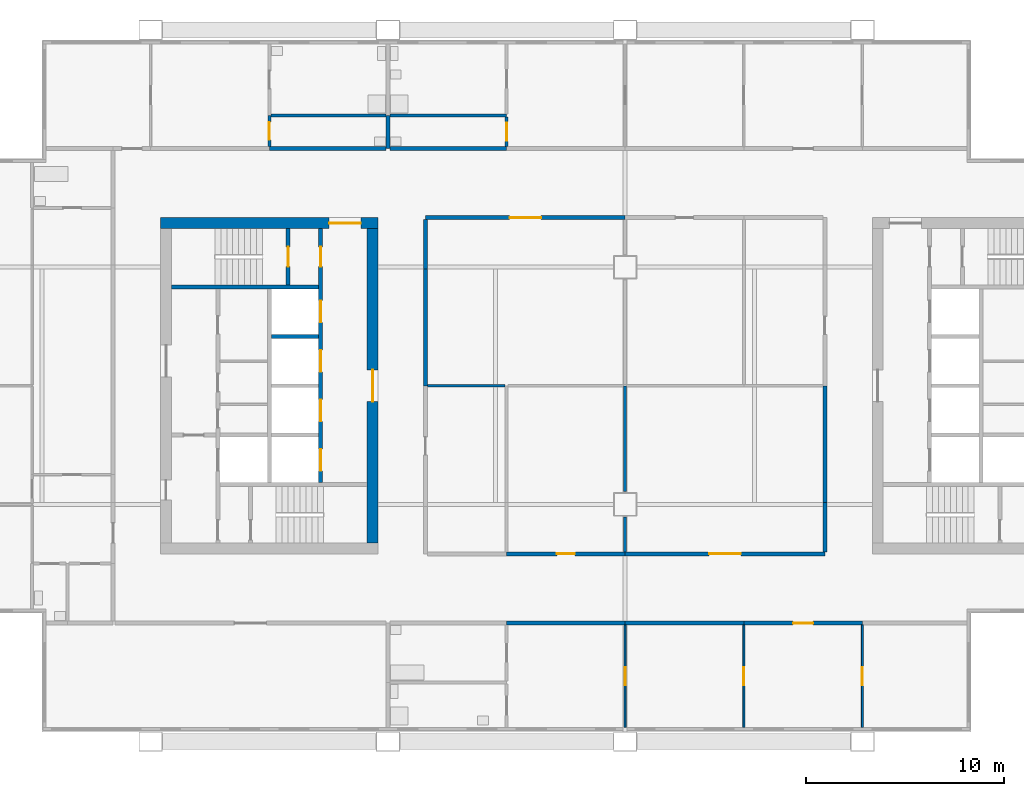
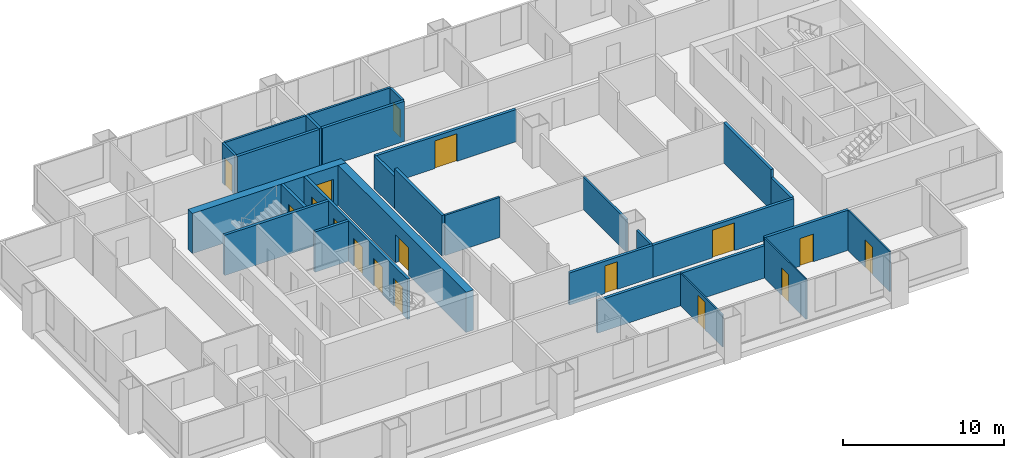
# One storey, part 4 of 9: 29 walls, 17 doors, 17 openings.
"""IFC4 building model written with IfcOpenShell, lengths in metres."""

from ifc_helpers import new_model, si_unit, direction, frame, frame_2d, origin, place, context, subcontext, project, spatial, rectangle, extrude, material, layer, layer_set, type_object, element, fill, save


model = new_model("IFC4")

# Units and contexts
model_context = context("Model", 3, precision=1e-05, world=origin(), true_north=direction((0.0, 1.0)))
body_context = subcontext(model_context, "Body", "Model", "MODEL_VIEW")
ifc_project = project(units=[si_unit("LENGTHUNIT", "METRE"), si_unit("AREAUNIT", "SQUARE_METRE"), si_unit("VOLUMEUNIT", "CUBIC_METRE"), si_unit("PLANEANGLEUNIT", "RADIAN"), si_unit("MASSUNIT", "GRAM", prefix="KILO")], contexts=[model_context])

# Site, building, storey
site_placement = place(None, origin())
site = spatial("IfcSite", under=ifc_project, at=site_placement, CompositionType="ELEMENT")
building_placement = place(site_placement, origin())
building = spatial("IfcBuilding", under=site, at=building_placement, Name="Kitamizu Gate Tower and Museum", CompositionType="ELEMENT")
storey_placement = place(building_placement, frame((0.0, 0.0, 206.550048828125)))
storey = spatial("IfcBuildingStorey", under=building, at=storey_placement, Name="L55", CompositionType="ELEMENT", Elevation=206.550048828125)

# Wall, opening, door
ifc_material_1 = material(Name="Concrete Fc42", Category="concrete")
ifc_layer_1 = layer(ifc_material_1, 0.550048828125)
ifc_layer_set_1 = layer_set([ifc_layer_1], Name="Concrete Fc42")
wall_type_1 = type_object("IfcWallType", Name="Core wall 550", PredefinedType="SHEAR", material=ifc_layer_set_1)
wall_1_placement = place(storey_placement, frame((12.5, 38.22509765625, 0.0), z_axis=(0.0, 0.0, 1.0), x_axis=(1.0, 0.0, 0.0)))
wall_1 = element("IfcWall", 1, at=wall_1_placement, inside=storey, type_object=wall_type_1, Name="Core wall WN", PredefinedType="SHEAR", context=body_context, shape_type="SweptSolid", body=[
    extrude(rectangle(XDim=11.0, YDim=0.550048828125, at=frame_2d((5.5, 0.0))), origin(), (0.0, 0.0, 1.0), 3.050048828125),
])
opening_1_placement = place(wall_1_placement, frame((8.52490234375, 0.0, 0.0)))
opening_1 = element("IfcOpeningElement", 2, at=opening_1_placement, cuts=wall_1, Name="Opening L55-039", PredefinedType="OPENING", context=body_context, shape_type="SweptSolid", body=[
    extrude(rectangle(XDim=1.60009765625, YDim=2.10009765625, at=frame_2d((0.800048828125, 1.050048828125))), frame((0.0, 0.28515625, 0.0), z_axis=(0.0, -1.0, 0.0), x_axis=(1.0, 0.0, 0.0)), (0.0, 0.0, 1.0), 0.570068359375),
])
ifc_material_2 = material(Name="Timber door set", Category="wood")
door_type_1 = type_object("IfcDoorType", Name="Entrance door 1600", OperationType="DOUBLE_DOOR_SINGLE_SWING", PredefinedType="DOOR", material=ifc_material_2)
door_1_placement = place(opening_1_placement, origin())
door_1 = element("IfcDoor", 3, at=door_1_placement, inside=storey, type_object=door_type_1, Name="Lobby door L55-039", OperationType="DOUBLE_DOOR_SINGLE_SWING", OverallHeight=2.10009765625, OverallWidth=1.60009765625, PredefinedType="DOOR", context=body_context, shape_type="SweptSolid", body=[
    extrude(rectangle(XDim=1.60009765625, YDim=2.10009765625, at=frame_2d((0.800048828125, 1.050048828125))), frame((0.0, 0.02490234375, 0.0), z_axis=(0.0, -1.0, 0.0), x_axis=(1.0, 0.0, 0.0)), (0.0, 0.0, 1.0), 0.050048828125),
])
fill(opening_1, door_1)

wall_2_placement = place(storey_placement, frame((23.22509765625, 22.050048828125, 0.0), z_axis=(0.0, 0.0, 1.0), x_axis=(0.0, 1.0, 0.0)))
wall_2 = element("IfcWall", 4, at=wall_2_placement, inside=storey, type_object=wall_type_1, Name="Core wall WARC", PredefinedType="SHEAR", context=body_context, shape_type="SweptSolid", body=[
    extrude(rectangle(XDim=15.89990234375, YDim=0.550048828125, at=frame_2d((7.949951171875, 0.0))), origin(), (0.0, 0.0, 1.0), 3.050048828125),
])
opening_2_placement = place(wall_2_placement, frame((7.14990234375, 0.0, 0.0)))
opening_2 = element("IfcOpeningElement", 5, at=opening_2_placement, cuts=wall_2, Name="Opening L55-040", PredefinedType="OPENING", context=body_context, shape_type="SweptSolid", body=[
    extrude(rectangle(XDim=1.60009765625, YDim=2.10009765625, at=frame_2d((0.800048828125, 1.050048828125))), frame((0.0, 0.28515625, 0.0), z_axis=(0.0, -1.0, 0.0), x_axis=(1.0, 0.0, 0.0)), (0.0, 0.0, 1.0), 0.570068359375),
])
door_2_placement = place(opening_2_placement, origin())
door_2 = element("IfcDoor", 6, at=door_2_placement, inside=storey, type_object=door_type_1, Name="Lobby door L55-040", OperationType="DOUBLE_DOOR_SINGLE_SWING", OverallHeight=2.10009765625, OverallWidth=1.60009765625, PredefinedType="DOOR", context=body_context, shape_type="SweptSolid", body=[
    extrude(rectangle(XDim=1.60009765625, YDim=2.10009765625, at=frame_2d((0.800048828125, 1.050048828125))), frame((0.0, 0.02490234375, 0.0), z_axis=(0.0, -1.0, 0.0), x_axis=(1.0, 0.0, 0.0)), (0.0, 0.0, 1.0), 0.050048828125),
])
fill(opening_2, door_2)

ifc_material_3 = material(Name="Gypsum board on galvanised stud")
ifc_layer_2 = layer(ifc_material_3, 0.10009765625)
ifc_layer_set_2 = layer_set([ifc_layer_2], Name="Gypsum board on galvanised stud")
wall_type_2 = type_object("IfcWallType", Name="Partition 100 NOT RATED", PredefinedType="PARTITIONING", material=ifc_layer_set_2)
wall_3_placement = place(storey_placement, frame((36.0, 12.719970703125, 0.0), z_axis=(0.0, 0.0, 1.0), x_axis=(0.0, 1.0, 0.0)))
wall_3 = element("IfcWall", 7, at=wall_3_placement, inside=storey, type_object=wall_type_2, Name="Partition L55-007", PredefinedType="PARTITIONING", context=body_context, shape_type="SweptSolid", body=[
    extrude(rectangle(XDim=5.179931640625, YDim=0.10009765625, at=frame_2d((2.58984375, 0.0))), origin(), (0.0, 0.0, 1.0), 2.449951171875),
])
opening_3_placement = place(wall_3_placement, frame((2.139892578125, 0.0, 0.0)))
opening_3 = element("IfcOpeningElement", 8, at=opening_3_placement, cuts=wall_3, Name="Opening L55-003", PredefinedType="OPENING", context=body_context, shape_type="SweptSolid", body=[
    extrude(rectangle(XDim=0.89990234375, YDim=2.10009765625, at=frame_2d((0.449951171875, 1.050048828125))), frame((0.0, 0.06005859375, 0.0), z_axis=(0.0, -1.0, 0.0), x_axis=(1.0, 0.0, 0.0)), (0.0, 0.0, 1.0), 0.1201171875),
])
ifc_material_4 = material(Name="Timber door set", Category="wood")
door_type_2 = type_object("IfcDoorType", Name="Room door 900", OperationType="NOTDEFINED", PredefinedType="DOOR", material=ifc_material_4)
door_3_placement = place(opening_3_placement, origin())
door_3 = element("IfcDoor", 9, at=door_3_placement, inside=storey, type_object=door_type_2, Name="Door L55-003", OperationType="SINGLE_SWING_RIGHT", OverallHeight=2.10009765625, OverallWidth=0.89990234375, PredefinedType="DOOR", context=body_context, shape_type="SweptSolid", body=[
    extrude(rectangle(XDim=0.89990234375, YDim=2.10009765625, at=frame_2d((0.449951171875, 1.050048828125))), frame((0.0, 0.02490234375, 0.0), z_axis=(0.0, -1.0, 0.0), x_axis=(1.0, 0.0, 0.0)), (0.0, 0.0, 1.0), 0.050048828125),
])
fill(opening_3, door_3)

wall_4_placement = place(storey_placement, frame((42.0, 12.719970703125, 0.0), z_axis=(0.0, 0.0, 1.0), x_axis=(0.0, 1.0, 0.0)))
wall_4 = element("IfcWall", 10, at=wall_4_placement, inside=storey, type_object=wall_type_2, Name="Partition L55-009", PredefinedType="PARTITIONING", context=body_context, shape_type="SweptSolid", body=[
    extrude(rectangle(XDim=5.179931640625, YDim=0.10009765625, at=frame_2d((2.58984375, 0.0))), origin(), (0.0, 0.0, 1.0), 3.050048828125),
])
opening_4_placement = place(wall_4_placement, frame((2.139892578125, 0.0, 0.0)))
opening_4 = element("IfcOpeningElement", 11, at=opening_4_placement, cuts=wall_4, Name="Opening L55-002", PredefinedType="OPENING", context=body_context, shape_type="SweptSolid", body=[
    extrude(rectangle(XDim=0.89990234375, YDim=2.10009765625, at=frame_2d((0.449951171875, 1.050048828125))), frame((0.0, 0.06005859375, 0.0), z_axis=(0.0, -1.0, 0.0), x_axis=(1.0, 0.0, 0.0)), (0.0, 0.0, 1.0), 0.1201171875),
])
door_4_placement = place(opening_4_placement, origin())
door_4 = element("IfcDoor", 12, at=door_4_placement, inside=storey, type_object=door_type_2, Name="Door L55-002", OperationType="SINGLE_SWING_LEFT", OverallHeight=2.10009765625, OverallWidth=0.89990234375, PredefinedType="DOOR", context=body_context, shape_type="SweptSolid", body=[
    extrude(rectangle(XDim=0.89990234375, YDim=2.10009765625, at=frame_2d((0.449951171875, 1.050048828125))), frame((0.0, 0.02490234375, 0.0), z_axis=(0.0, -1.0, 0.0), x_axis=(1.0, 0.0, 0.0)), (0.0, 0.0, 1.0), 0.050048828125),
])
fill(opening_4, door_4)

wall_5_placement = place(storey_placement, frame((48.0, 12.719970703125, 0.0), z_axis=(0.0, 0.0, 1.0), x_axis=(0.0, 1.0, 0.0)))
wall_5 = element("IfcWall", 13, at=wall_5_placement, inside=storey, type_object=wall_type_2, Name="Partition L55-011", PredefinedType="PARTITIONING", context=body_context, shape_type="SweptSolid", body=[
    extrude(rectangle(XDim=5.179931640625, YDim=0.10009765625, at=frame_2d((2.58984375, 0.0))), origin(), (0.0, 0.0, 1.0), 3.050048828125),
])
opening_5_placement = place(wall_5_placement, frame((2.139892578125, 0.0, 0.0)))
opening_5 = element("IfcOpeningElement", 14, at=opening_5_placement, cuts=wall_5, Name="Opening L55-006", PredefinedType="OPENING", context=body_context, shape_type="SweptSolid", body=[
    extrude(rectangle(XDim=0.89990234375, YDim=2.10009765625, at=frame_2d((0.449951171875, 1.050048828125))), frame((0.0, 0.06005859375, 0.0), z_axis=(0.0, -1.0, 0.0), x_axis=(1.0, 0.0, 0.0)), (0.0, 0.0, 1.0), 0.1201171875),
])
door_5_placement = place(opening_5_placement, frame((0.89990234375, 0.0, 0.0), x_axis=(-1.0, 0.0, 0.0)))
door_5 = element("IfcDoor", 15, at=door_5_placement, inside=storey, type_object=door_type_2, Name="Door L55-006", OperationType="SINGLE_SWING_RIGHT", OverallHeight=2.10009765625, OverallWidth=0.89990234375, PredefinedType="DOOR", context=body_context, shape_type="SweptSolid", body=[
    extrude(rectangle(XDim=0.89990234375, YDim=2.10009765625, at=frame_2d((0.449951171875, 1.050048828125))), frame((0.0, 0.02490234375, 0.0), z_axis=(0.0, -1.0, 0.0), x_axis=(1.0, 0.0, 0.0)), (0.0, 0.0, 1.0), 0.050048828125),
])
fill(opening_5, door_5)

ifc_material_5 = material(Name="Gypsum board on galvanised stud")
ifc_layer_3 = layer(ifc_material_5, 0.14990234375)
ifc_layer_set_3 = layer_set([ifc_layer_3], Name="Gypsum board on galvanised stud")
wall_type_3 = type_object("IfcWallType", Name="Partition 150", PredefinedType="PARTITIONING", material=ifc_layer_set_3)
wall_6_placement = place(storey_placement, frame((18.0, 42.10009765625, 0.0), z_axis=(0.0, 0.0, 1.0), x_axis=(0.0, 1.0, 0.0)))
wall_6 = element("IfcWall", 16, at=wall_6_placement, inside=storey, type_object=wall_type_3, Name="Partition L55-018", PredefinedType="PARTITIONING", context=body_context, shape_type="SweptSolid", body=[
    extrude(rectangle(XDim=1.579833984375, YDim=0.14990234375, at=frame_2d((0.7900390625, 0.0))), origin(), (0.0, 0.0, 1.0), 3.050048828125),
])
opening_6_placement = place(wall_6_placement, frame((0.340087890625, 0.0, 0.0)))
opening_6 = element("IfcOpeningElement", 17, at=opening_6_placement, cuts=wall_6, Name="Opening L55-010", PredefinedType="OPENING", context=body_context, shape_type="SweptSolid", body=[
    extrude(rectangle(XDim=0.89990234375, YDim=2.10009765625, at=frame_2d((0.449951171875, 1.050048828125))), frame((0.0, 0.0849609375, 0.0), z_axis=(0.0, -1.0, 0.0), x_axis=(1.0, 0.0, 0.0)), (0.0, 0.0, 1.0), 0.169921875),
])
ifc_material_6 = material(Name="Timber door set", Category="wood")
door_type_3 = type_object("IfcDoorType", Name="Bathroom door 900", OperationType="NOTDEFINED", PredefinedType="DOOR", material=ifc_material_6)
door_6_placement = place(opening_6_placement, frame((0.89990234375, 0.0, 0.0), x_axis=(-1.0, 0.0, 0.0)))
door_6 = element("IfcDoor", 18, at=door_6_placement, inside=storey, type_object=door_type_3, Name="Bathroom door L55-010", OperationType="SINGLE_SWING_LEFT", OverallHeight=2.10009765625, OverallWidth=0.89990234375, PredefinedType="DOOR", context=body_context, shape_type="SweptSolid", body=[
    extrude(rectangle(XDim=0.89990234375, YDim=2.10009765625, at=frame_2d((0.449951171875, 1.050048828125))), frame((0.0, 0.02490234375, 0.0), z_axis=(0.0, -1.0, 0.0), x_axis=(1.0, 0.0, 0.0)), (0.0, 0.0, 1.0), 0.050048828125),
])
fill(opening_6, door_6)

# Walls
wall_7_placement = place(storey_placement, frame((18.074951171875, 43.679931640625, 0.0), z_axis=(0.0, 0.0, 1.0), x_axis=(1.0, 0.0, 0.0)))
element("IfcWall", 19, at=wall_7_placement, inside=storey, type_object=wall_type_3, Name="Partition L55-020", PredefinedType="PARTITIONING", context=body_context, shape_type="SweptSolid", body=[
    extrude(rectangle(XDim=5.824951171875, YDim=0.14990234375, at=frame_2d((2.91259765625, 0.0))), origin(), (0.0, 0.0, 1.0), 3.050048828125),
])
wall_8_placement = place(storey_placement, frame((24.10009765625, 43.679931640625, 0.0), z_axis=(0.0, 0.0, 1.0), x_axis=(1.0, 0.0, 0.0)))
element("IfcWall", 20, at=wall_8_placement, inside=storey, type_object=wall_type_3, Name="Partition L55-024", PredefinedType="PARTITIONING", context=body_context, shape_type="SweptSolid", body=[
    extrude(rectangle(XDim=5.89990234375, YDim=0.14990234375, at=frame_2d((2.949951171875, 0.0))), origin(), (0.0, 0.0, 1.0), 3.050048828125),
])

# Wall, opening, door
wall_9_placement = place(storey_placement, frame((30.0, 42.10009765625, 0.0), z_axis=(0.0, 0.0, 1.0), x_axis=(0.0, 1.0, 0.0)))
wall_9 = element("IfcWall", 21, at=wall_9_placement, inside=storey, type_object=wall_type_3, Name="Partition L55-026", PredefinedType="PARTITIONING", context=body_context, shape_type="SweptSolid", body=[
    extrude(rectangle(XDim=1.5048828125, YDim=0.14990234375, at=frame_2d((0.75244140625, 0.0))), origin(), (0.0, 0.0, 1.0), 3.050048828125),
])
opening_7_placement = place(wall_9_placement, frame((0.302490234375, 0.0, 0.0)))
opening_7 = element("IfcOpeningElement", 22, at=opening_7_placement, cuts=wall_9, Name="Opening L55-015", PredefinedType="OPENING", context=body_context, shape_type="SweptSolid", body=[
    extrude(rectangle(XDim=0.89990234375, YDim=2.10009765625, at=frame_2d((0.449951171875, 1.050048828125))), frame((0.0, 0.0849609375, 0.0), z_axis=(0.0, -1.0, 0.0), x_axis=(1.0, 0.0, 0.0)), (0.0, 0.0, 1.0), 0.169921875),
])
door_7_placement = place(opening_7_placement, origin())
door_7 = element("IfcDoor", 23, at=door_7_placement, inside=storey, type_object=door_type_3, Name="Bathroom door L55-015", OperationType="SINGLE_SWING_LEFT", OverallHeight=2.10009765625, OverallWidth=0.89990234375, PredefinedType="DOOR", context=body_context, shape_type="SweptSolid", body=[
    extrude(rectangle(XDim=0.89990234375, YDim=2.10009765625, at=frame_2d((0.449951171875, 1.050048828125))), frame((0.0, 0.02490234375, 0.0), z_axis=(0.0, -1.0, 0.0), x_axis=(1.0, 0.0, 0.0)), (0.0, 0.0, 1.0), 0.050048828125),
])
fill(opening_7, door_7)

# Walls
wall_10_placement = place(storey_placement, frame((29.925048828125, 30.0, 0.0), z_axis=(0.0, 0.0, 1.0), x_axis=(-1.0, 0.0, 0.0)))
element("IfcWall", 24, at=wall_10_placement, inside=storey, type_object=wall_type_3, Name="Partition L55-074", PredefinedType="PARTITIONING", context=body_context, shape_type="SweptSolid", body=[
    extrude(rectangle(XDim=3.925048828125, YDim=0.14990234375, at=frame_2d((1.96240234375, 0.0))), origin(), (0.0, 0.0, 1.0), 3.050048828125),
])
wall_11_placement = place(storey_placement, frame((36.0, 21.60009765625, 0.0), z_axis=(0.0, 0.0, 1.0), x_axis=(0.0, 1.0, 0.0)))
element("IfcWall", 25, at=wall_11_placement, inside=storey, type_object=wall_type_3, Name="Partition L55-075", PredefinedType="PARTITIONING", context=body_context, shape_type="SweptSolid", body=[
    extrude(rectangle(XDim=1.75, YDim=0.14990234375, at=frame_2d((0.875, 0.0))), origin(), (0.0, 0.0, 1.0), 2.449951171875),
])
wall_12_placement = place(storey_placement, frame((36.0, 24.64990234375, 0.0), z_axis=(0.0, 0.0, 1.0), x_axis=(0.0, 1.0, 0.0)))
element("IfcWall", 26, at=wall_12_placement, inside=storey, type_object=wall_type_3, Name="Partition L55-076", PredefinedType="PARTITIONING", context=body_context, shape_type="SweptSolid", body=[
    extrude(rectangle(XDim=5.35009765625, YDim=0.14990234375, at=frame_2d((2.675048828125, 0.0))), origin(), (0.0, 0.0, 1.0), 2.449951171875),
])
ifc_material_7 = material(Name="Gypsum board on galvanised stud")
ifc_layer_4 = layer(ifc_material_7, 0.199951171875)
ifc_layer_set_4 = layer_set([ifc_layer_4], Name="Gypsum board on galvanised stud")
wall_type_4 = type_object("IfcWallType", Name="Partition 200", PredefinedType="PARTITIONING", material=ifc_layer_set_4)
for number, where, z_axis, x_axis, name in (
    (27, (36.0, 18.0, 0.0), (0.0, 0.0, 1.0), (-1.0, 0.0, 0.0), "Partition L55-008"),
    (28, (42.0, 18.0, 0.0), (0.0, 0.0, 1.0), (-1.0, 0.0, 0.0), "Partition L55-010"),
):
    element("IfcWall", number, at=place(storey_placement, frame(where, z_axis=z_axis, x_axis=x_axis)), inside=storey, type_object=wall_type_4, Name=name, PredefinedType="PARTITIONING", context=body_context, shape_type="SweptSolid", body=[
        extrude(rectangle(XDim=6.0, YDim=0.199951171875, at=frame_2d((3.0, 0.0))), origin(), (0.0, 0.0, 1.0), 2.449951171875),
    ])

# Wall, opening, door
wall_13_placement = place(storey_placement, frame((48.0, 18.0, 0.0), z_axis=(0.0, 0.0, 1.0), x_axis=(-1.0, 0.0, 0.0)))
wall_13 = element("IfcWall", 29, at=wall_13_placement, inside=storey, type_object=wall_type_4, Name="Partition L55-012", PredefinedType="PARTITIONING", context=body_context, shape_type="SweptSolid", body=[
    extrude(rectangle(XDim=6.0, YDim=0.199951171875, at=frame_2d((3.0, 0.0))), origin(), (0.0, 0.0, 1.0), 3.050048828125),
])
opening_8_placement = place(wall_13_placement, frame((2.5, 0.0, 0.0)))
opening_8 = element("IfcOpeningElement", 30, at=opening_8_placement, cuts=wall_13, Name="Opening L55-001", PredefinedType="OPENING", context=body_context, shape_type="SweptSolid", body=[
    extrude(rectangle(XDim=1.0, YDim=2.10009765625, at=frame_2d((0.5, 1.050048828125))), frame((0.0, 0.10986328125, 0.0), z_axis=(0.0, -1.0, 0.0), x_axis=(1.0, 0.0, 0.0)), (0.0, 0.0, 1.0), 0.219970703125),
])
ifc_material_8 = material(Name="Timber door set", Category="wood")
door_type_4 = type_object("IfcDoorType", Name="Flat entrance door 1000", OperationType="NOTDEFINED", PredefinedType="DOOR", material=ifc_material_8)
door_8_placement = place(opening_8_placement, origin())
door_8 = element("IfcDoor", 31, at=door_8_placement, inside=storey, type_object=door_type_4, Name="Flat entrance door L55-001", OperationType="SINGLE_SWING_RIGHT", OverallHeight=2.10009765625, OverallWidth=1.0, PredefinedType="DOOR", context=body_context, shape_type="SweptSolid", body=[
    extrude(rectangle(XDim=1.0, YDim=2.10009765625, at=frame_2d((0.5, 1.050048828125))), frame((0.0, 0.02490234375, 0.0), z_axis=(0.0, -1.0, 0.0), x_axis=(1.0, 0.0, 0.0)), (0.0, 0.0, 1.0), 0.050048828125),
])
fill(opening_8, door_8)

# Walls
wall_14_placement = place(storey_placement, frame((24.0, 42.0, 0.0), z_axis=(0.0, 0.0, 1.0), x_axis=(0.0, 1.0, 0.0)))
element("IfcWall", 32, at=wall_14_placement, inside=storey, type_object=wall_type_4, Name="Partition L55-022", PredefinedType="PARTITIONING", context=body_context, shape_type="SweptSolid", body=[
    extrude(rectangle(XDim=1.679931640625, YDim=0.199951171875, at=frame_2d((0.83984375, 0.0))), origin(), (0.0, 0.0, 1.0), 3.050048828125),
])
for number, where, z_axis, x_axis, name in (
    (33, (18.0, 42.0, 0.0), (0.0, 0.0, 1.0), (1.0, 0.0, 0.0), "Partition L55-023"),
    (34, (24.10009765625, 42.0, 0.0), (0.0, 0.0, 1.0), (1.0, 0.0, 0.0), "Partition L55-027"),
):
    element("IfcWall", number, at=place(storey_placement, frame(where, z_axis=z_axis, x_axis=x_axis)), inside=storey, type_object=wall_type_4, Name=name, PredefinedType="PARTITIONING", context=body_context, shape_type="SweptSolid", body=[
        extrude(rectangle(XDim=5.89990234375, YDim=0.199951171875, at=frame_2d((2.949951171875, 0.0))), origin(), (0.0, 0.0, 1.0), 3.050048828125),
    ])

# Wall, opening, door
wall_15_placement = place(storey_placement, frame((30.0, 21.5, 0.0), z_axis=(0.0, 0.0, 1.0), x_axis=(1.0, 0.0, 0.0)))
wall_15 = element("IfcWall", 35, at=wall_15_placement, inside=storey, type_object=wall_type_4, Name="Partition L55-061", PredefinedType="PARTITIONING", context=body_context, shape_type="SweptSolid", body=[
    extrude(rectangle(XDim=6.0, YDim=0.199951171875, at=frame_2d((3.0, 0.0))), origin(), (0.0, 0.0, 1.0), 2.449951171875),
])
opening_9_placement = place(wall_15_placement, frame((2.550048828125, 0.0, 0.0)))
opening_9 = element("IfcOpeningElement", 36, at=opening_9_placement, cuts=wall_15, Name="Opening L55-027", PredefinedType="OPENING", context=body_context, shape_type="SweptSolid", body=[
    extrude(rectangle(XDim=0.89990234375, YDim=2.10009765625, at=frame_2d((0.449951171875, 1.050048828125))), frame((0.0, 0.10986328125, 0.0), z_axis=(0.0, -1.0, 0.0), x_axis=(1.0, 0.0, 0.0)), (0.0, 0.0, 1.0), 0.219970703125),
])
door_9_placement = place(opening_9_placement, origin())
door_9 = element("IfcDoor", 37, at=door_9_placement, inside=storey, type_object=door_type_2, Name="Door L55-027", OperationType="SINGLE_SWING_RIGHT", OverallHeight=2.10009765625, OverallWidth=0.89990234375, PredefinedType="DOOR", context=body_context, shape_type="SweptSolid", body=[
    extrude(rectangle(XDim=0.89990234375, YDim=2.10009765625, at=frame_2d((0.449951171875, 1.050048828125))), frame((0.0, 0.02490234375, 0.0), z_axis=(0.0, -1.0, 0.0), x_axis=(1.0, 0.0, 0.0)), (0.0, 0.0, 1.0), 0.050048828125),
])
fill(opening_9, door_9)

wall_16_placement = place(storey_placement, frame((36.0, 21.5, 0.0), z_axis=(0.0, 0.0, 1.0), x_axis=(1.0, 0.0, 0.0)))
wall_16 = element("IfcWall", 38, at=wall_16_placement, inside=storey, type_object=wall_type_4, Name="Partition L55-062", PredefinedType="PARTITIONING", context=body_context, shape_type="SweptSolid", body=[
    extrude(rectangle(XDim=10.10009765625, YDim=0.199951171875, at=frame_2d((5.050048828125, 0.0))), origin(), (0.0, 0.0, 1.0), 2.449951171875),
])
opening_10_placement = place(wall_16_placement, frame((4.25, 0.0, 0.0)))
opening_10 = element("IfcOpeningElement", 39, at=opening_10_placement, cuts=wall_16, Name="Opening L55-028", PredefinedType="OPENING", context=body_context, shape_type="SweptSolid", body=[
    extrude(rectangle(XDim=1.60009765625, YDim=2.10009765625, at=frame_2d((0.800048828125, 1.050048828125))), frame((0.0, 0.10986328125, 0.0), z_axis=(0.0, -1.0, 0.0), x_axis=(1.0, 0.0, 0.0)), (0.0, 0.0, 1.0), 0.219970703125),
])
ifc_material_9 = material(Name="Timber door set", Category="wood")
door_type_5 = type_object("IfcDoorType", Name="Double door 1600", OperationType="DOUBLE_DOOR_SINGLE_SWING", PredefinedType="DOOR", material=ifc_material_9)
door_10_placement = place(opening_10_placement, origin())
door_10 = element("IfcDoor", 40, at=door_10_placement, inside=storey, type_object=door_type_5, Name="Double door L55-028", OperationType="DOUBLE_DOOR_SINGLE_SWING", OverallHeight=2.10009765625, OverallWidth=1.60009765625, PredefinedType="DOOR", context=body_context, shape_type="SweptSolid", body=[
    extrude(rectangle(XDim=1.60009765625, YDim=2.10009765625, at=frame_2d((0.800048828125, 1.050048828125))), frame((0.0, 0.02490234375, 0.0), z_axis=(0.0, -1.0, 0.0), x_axis=(1.0, 0.0, 0.0)), (0.0, 0.0, 1.0), 0.050048828125),
])
fill(opening_10, door_10)

# Walls
wall_17_placement = place(storey_placement, frame((46.10009765625, 21.60009765625, 0.0), z_axis=(0.0, 0.0, 1.0), x_axis=(0.0, 1.0, 0.0)))
element("IfcWall", 41, at=wall_17_placement, inside=storey, type_object=wall_type_4, Name="Partition L55-063", PredefinedType="PARTITIONING", context=body_context, shape_type="SweptSolid", body=[
    extrude(rectangle(XDim=2.5, YDim=0.199951171875, at=frame_2d((1.25, 0.0))), origin(), (0.0, 0.0, 1.0), 2.449951171875),
])
wall_18_placement = place(storey_placement, frame((46.10009765625, 24.10009765625, 0.0), z_axis=(0.0, 0.0, 1.0), x_axis=(0.0, 1.0, 0.0)))
element("IfcWall", 42, at=wall_18_placement, inside=storey, type_object=wall_type_4, Name="Partition L55-064", PredefinedType="PARTITIONING", context=body_context, shape_type="SweptSolid", body=[
    extrude(rectangle(XDim=5.89990234375, YDim=0.199951171875, at=frame_2d((2.949951171875, 0.0))), origin(), (0.0, 0.0, 1.0), 3.050048828125),
])

# Wall, opening, door
wall_19_placement = place(storey_placement, frame((36.0, 38.5, 0.0), z_axis=(0.0, 0.0, 1.0), x_axis=(-1.0, 0.0, 0.0)))
wall_19 = element("IfcWall", 43, at=wall_19_placement, inside=storey, type_object=wall_type_4, Name="Partition L55-065", PredefinedType="PARTITIONING", context=body_context, shape_type="SweptSolid", body=[
    extrude(rectangle(XDim=10.10009765625, YDim=0.199951171875, at=frame_2d((5.050048828125, 0.0))), origin(), (0.0, 0.0, 1.0), 2.449951171875),
])
opening_11_placement = place(wall_19_placement, frame((4.25, 0.0, 0.0)))
opening_11 = element("IfcOpeningElement", 44, at=opening_11_placement, cuts=wall_19, Name="Opening L55-029", PredefinedType="OPENING", context=body_context, shape_type="SweptSolid", body=[
    extrude(rectangle(XDim=1.60009765625, YDim=2.10009765625, at=frame_2d((0.800048828125, 1.050048828125))), frame((0.0, 0.10986328125, 0.0), z_axis=(0.0, -1.0, 0.0), x_axis=(1.0, 0.0, 0.0)), (0.0, 0.0, 1.0), 0.219970703125),
])
door_11_placement = place(opening_11_placement, origin())
door_11 = element("IfcDoor", 45, at=door_11_placement, inside=storey, type_object=door_type_5, Name="Double door L55-029", OperationType="DOUBLE_DOOR_SINGLE_SWING", OverallHeight=2.10009765625, OverallWidth=1.60009765625, PredefinedType="DOOR", context=body_context, shape_type="SweptSolid", body=[
    extrude(rectangle(XDim=1.60009765625, YDim=2.10009765625, at=frame_2d((0.800048828125, 1.050048828125))), frame((0.0, 0.02490234375, 0.0), z_axis=(0.0, -1.0, 0.0), x_axis=(1.0, 0.0, 0.0)), (0.0, 0.0, 1.0), 0.050048828125),
])
fill(opening_11, door_11)

# Walls
wall_20_placement = place(storey_placement, frame((25.89990234375, 38.39990234375, 0.0), z_axis=(0.0, 0.0, 1.0), x_axis=(0.0, -1.0, 0.0)))
element("IfcWall", 46, at=wall_20_placement, inside=storey, type_object=wall_type_4, Name="Partition L55-066", PredefinedType="PARTITIONING", context=body_context, shape_type="SweptSolid", body=[
    extrude(rectangle(XDim=2.5, YDim=0.199951171875, at=frame_2d((1.25, 0.0))), origin(), (0.0, 0.0, 1.0), 2.449951171875),
])
wall_21_placement = place(storey_placement, frame((25.89990234375, 35.89990234375, 0.0), z_axis=(0.0, 0.0, 1.0), x_axis=(0.0, -1.0, 0.0)))
element("IfcWall", 47, at=wall_21_placement, inside=storey, type_object=wall_type_4, Name="Partition L55-067", PredefinedType="PARTITIONING", context=body_context, shape_type="SweptSolid", body=[
    extrude(rectangle(XDim=5.89990234375, YDim=0.199951171875, at=frame_2d((2.949951171875, 0.0))), origin(), (0.0, 0.0, 1.0), 3.050048828125),
])

# Wall, openings, doors
ifc_material_10 = material(Name="Concrete Fc42", Category="concrete")
ifc_layer_5 = layer(ifc_material_10, 0.199951171875)
ifc_layer_set_5 = layer_set([ifc_layer_5], Name="Concrete Fc42")
wall_type_5 = type_object("IfcWallType", Name="Shaft wall 200", PredefinedType="SOLIDWALL", material=ifc_layer_set_5)
wall_22_placement = place(storey_placement, frame((20.60009765625, 25.10009765625, 0.0), z_axis=(0.0, 0.0, 1.0), x_axis=(0.0, 1.0, 0.0)))
wall_22 = element("IfcWall", 48, at=wall_22_placement, inside=storey, type_object=wall_type_5, Name="Shaft wall WEAST", PredefinedType="SOLIDWALL", context=body_context, shape_type="SweptSolid", body=[
    extrude(rectangle(XDim=12.849853515625, YDim=0.199951171875, at=frame_2d((6.4248046875, 0.0))), origin(), (0.0, 0.0, 1.0), 3.050048828125),
])
opening_12_placement = place(wall_22_placement, frame((0.60009765625, 0.0, 0.0)))
opening_12 = element("IfcOpeningElement", 49, at=opening_12_placement, cuts=wall_22, Name="Opening LD", PredefinedType="OPENING", context=body_context, shape_type="SweptSolid", body=[
    extrude(rectangle(XDim=1.10009765625, YDim=2.10009765625, at=frame_2d((0.550048828125, 1.050048828125))), frame((0.0, 0.10986328125, 0.0), z_axis=(0.0, -1.0, 0.0), x_axis=(1.0, 0.0, 0.0)), (0.0, 0.0, 1.0), 0.219970703125),
])
opening_13_placement = place(wall_22_placement, frame((3.10009765625, 0.0, 0.0)))
opening_13 = element("IfcOpeningElement", 50, at=opening_13_placement, cuts=wall_22, Name="Opening LD", PredefinedType="OPENING", context=body_context, shape_type="SweptSolid", body=[
    extrude(rectangle(XDim=1.10009765625, YDim=2.10009765625, at=frame_2d((0.550048828125, 1.050048828125))), frame((0.0, 0.10986328125, 0.0), z_axis=(0.0, -1.0, 0.0), x_axis=(1.0, 0.0, 0.0)), (0.0, 0.0, 1.0), 0.219970703125),
])
opening_14_placement = place(wall_22_placement, frame((5.60009765625, 0.0, 0.0)))
opening_14 = element("IfcOpeningElement", 51, at=opening_14_placement, cuts=wall_22, Name="Opening LD", PredefinedType="OPENING", context=body_context, shape_type="SweptSolid", body=[
    extrude(rectangle(XDim=1.10009765625, YDim=2.10009765625, at=frame_2d((0.550048828125, 1.050048828125))), frame((0.0, 0.10986328125, 0.0), z_axis=(0.0, -1.0, 0.0), x_axis=(1.0, 0.0, 0.0)), (0.0, 0.0, 1.0), 0.219970703125),
])
opening_15_placement = place(wall_22_placement, frame((8.10009765625, 0.0, 0.0)))
opening_15 = element("IfcOpeningElement", 52, at=opening_15_placement, cuts=wall_22, Name="Opening LD", PredefinedType="OPENING", context=body_context, shape_type="SweptSolid", body=[
    extrude(rectangle(XDim=1.10009765625, YDim=2.10009765625, at=frame_2d((0.550048828125, 1.050048828125))), frame((0.0, 0.10986328125, 0.0), z_axis=(0.0, -1.0, 0.0), x_axis=(1.0, 0.0, 0.0)), (0.0, 0.0, 1.0), 0.219970703125),
])
opening_16_placement = place(wall_22_placement, frame((10.925048828125, 0.0, 0.0)))
opening_16 = element("IfcOpeningElement", 53, at=opening_16_placement, cuts=wall_22, Name="Opening L55-034", PredefinedType="OPENING", context=body_context, shape_type="SweptSolid", body=[
    extrude(rectangle(XDim=1.0, YDim=2.10009765625, at=frame_2d((0.5, 1.050048828125))), frame((0.0, 0.10986328125, 0.0), z_axis=(0.0, -1.0, 0.0), x_axis=(1.0, 0.0, 0.0)), (0.0, 0.0, 1.0), 0.219970703125),
])
ifc_material_11 = material(Name="Hollow metal door set")
door_type_6 = type_object("IfcDoorType", Name="Fire door 1000", OperationType="NOTDEFINED", PredefinedType="DOOR", material=ifc_material_11)
door_12_placement = place(opening_16_placement, origin())
door_12 = element("IfcDoor", 54, at=door_12_placement, inside=storey, type_object=door_type_6, Name="Stair lobby door L55-034", OperationType="SINGLE_SWING_LEFT", OverallHeight=2.10009765625, OverallWidth=1.0, PredefinedType="DOOR", context=body_context, shape_type="SweptSolid", body=[
    extrude(rectangle(XDim=1.0, YDim=2.10009765625, at=frame_2d((0.5, 1.050048828125))), frame((0.0, 0.02490234375, 0.0), z_axis=(0.0, -1.0, 0.0), x_axis=(1.0, 0.0, 0.0)), (0.0, 0.0, 1.0), 0.050048828125),
])
fill(opening_16, door_12)
ifc_material_12 = material(Name="Hollow metal door set")
door_type_7 = type_object("IfcDoorType", Name="Landing door 1100", OperationType="SLIDING_TO_LEFT", PredefinedType="DOOR", material=ifc_material_12)
door_13_placement = place(opening_12_placement, origin())
door_13 = element("IfcDoor", 55, at=door_13_placement, inside=storey, type_object=door_type_7, Name="Landing door WSV1", OperationType="SLIDING_TO_LEFT", OverallHeight=2.10009765625, OverallWidth=1.10009765625, PredefinedType="DOOR", context=body_context, shape_type="SweptSolid", body=[
    extrude(rectangle(XDim=1.10009765625, YDim=2.10009765625, at=frame_2d((0.550048828125, 1.050048828125))), frame((0.0, 0.02490234375, 0.0), z_axis=(0.0, -1.0, 0.0), x_axis=(1.0, 0.0, 0.0)), (0.0, 0.0, 1.0), 0.050048828125),
])
fill(opening_12, door_13)
door_14_placement = place(opening_13_placement, origin())
door_14 = element("IfcDoor", 56, at=door_14_placement, inside=storey, type_object=door_type_7, Name="Landing door WH1", OperationType="SLIDING_TO_LEFT", OverallHeight=2.10009765625, OverallWidth=1.10009765625, PredefinedType="DOOR", context=body_context, shape_type="SweptSolid", body=[
    extrude(rectangle(XDim=1.10009765625, YDim=2.10009765625, at=frame_2d((0.550048828125, 1.050048828125))), frame((0.0, 0.02490234375, 0.0), z_axis=(0.0, -1.0, 0.0), x_axis=(1.0, 0.0, 0.0)), (0.0, 0.0, 1.0), 0.050048828125),
])
fill(opening_13, door_14)
door_15_placement = place(opening_14_placement, origin())
door_15 = element("IfcDoor", 57, at=door_15_placement, inside=storey, type_object=door_type_7, Name="Landing door WH2", OperationType="SLIDING_TO_LEFT", OverallHeight=2.10009765625, OverallWidth=1.10009765625, PredefinedType="DOOR", context=body_context, shape_type="SweptSolid", body=[
    extrude(rectangle(XDim=1.10009765625, YDim=2.10009765625, at=frame_2d((0.550048828125, 1.050048828125))), frame((0.0, 0.02490234375, 0.0), z_axis=(0.0, -1.0, 0.0), x_axis=(1.0, 0.0, 0.0)), (0.0, 0.0, 1.0), 0.050048828125),
])
fill(opening_14, door_15)
door_16_placement = place(opening_15_placement, origin())
door_16 = element("IfcDoor", 58, at=door_16_placement, inside=storey, type_object=door_type_7, Name="Landing door WH3", OperationType="SLIDING_TO_LEFT", OverallHeight=2.10009765625, OverallWidth=1.10009765625, PredefinedType="DOOR", context=body_context, shape_type="SweptSolid", body=[
    extrude(rectangle(XDim=1.10009765625, YDim=2.10009765625, at=frame_2d((0.550048828125, 1.050048828125))), frame((0.0, 0.02490234375, 0.0), z_axis=(0.0, -1.0, 0.0), x_axis=(1.0, 0.0, 0.0)), (0.0, 0.0, 1.0), 0.050048828125),
])
fill(opening_15, door_16)

# Wall
wall_23_placement = place(storey_placement, frame((13.050048828125, 35.0, 0.0), z_axis=(0.0, 0.0, 1.0), x_axis=(1.0, 0.0, 0.0)))
element("IfcWall", 59, at=wall_23_placement, inside=storey, type_object=wall_type_5, Name="Shaft wall WNB", PredefinedType="SOLIDWALL", context=body_context, shape_type="SweptSolid", body=[
    extrude(rectangle(XDim=7.449951171875, YDim=0.199951171875, at=frame_2d((3.72509765625, 0.0))), origin(), (0.0, 0.0, 1.0), 3.050048828125),
])

# Wall, opening, door
wall_24_placement = place(storey_placement, frame((18.949951171875, 35.10009765625, 0.0), z_axis=(0.0, 0.0, 1.0), x_axis=(0.0, 1.0, 0.0)))
wall_24 = element("IfcWall", 60, at=wall_24_placement, inside=storey, type_object=wall_type_5, Name="Shaft wall WNZ", PredefinedType="SOLIDWALL", context=body_context, shape_type="SweptSolid", body=[
    extrude(rectangle(XDim=2.849853515625, YDim=0.199951171875, at=frame_2d((1.4248046875, 0.0))), origin(), (0.0, 0.0, 1.0), 3.050048828125),
])
opening_17_placement = place(wall_24_placement, frame((0.925048828125, 0.0, 0.0)))
opening_17 = element("IfcOpeningElement", 61, at=opening_17_placement, cuts=wall_24, Name="Opening L55-035", PredefinedType="OPENING", context=body_context, shape_type="SweptSolid", body=[
    extrude(rectangle(XDim=1.0, YDim=2.10009765625, at=frame_2d((0.5, 1.050048828125))), frame((0.0, 0.10986328125, 0.0), z_axis=(0.0, -1.0, 0.0), x_axis=(1.0, 0.0, 0.0)), (0.0, 0.0, 1.0), 0.219970703125),
])
door_17_placement = place(opening_17_placement, origin())
door_17 = element("IfcDoor", 62, at=door_17_placement, inside=storey, type_object=door_type_6, Name="Stair door L55-035", OperationType="SINGLE_SWING_RIGHT", OverallHeight=2.10009765625, OverallWidth=1.0, PredefinedType="DOOR", context=body_context, shape_type="SweptSolid", body=[
    extrude(rectangle(XDim=1.0, YDim=2.10009765625, at=frame_2d((0.5, 1.050048828125))), frame((0.0, 0.02490234375, 0.0), z_axis=(0.0, -1.0, 0.0), x_axis=(1.0, 0.0, 0.0)), (0.0, 0.0, 1.0), 0.050048828125),
])
fill(opening_17, door_17)

# Wall
wall_25_placement = place(storey_placement, frame((18.10009765625, 32.5, 0.0), z_axis=(0.0, 0.0, 1.0), x_axis=(1.0, 0.0, 0.0)))
element("IfcWall", 63, at=wall_25_placement, inside=storey, type_object=wall_type_5, Name="Shaft wall WDVE2", PredefinedType="SOLIDWALL", context=body_context, shape_type="SweptSolid", body=[
    extrude(rectangle(XDim=2.39990234375, YDim=0.199951171875, at=frame_2d((1.199951171875, 0.0))), origin(), (0.0, 0.0, 1.0), 3.050048828125),
])

save(model, "model.ifc")
